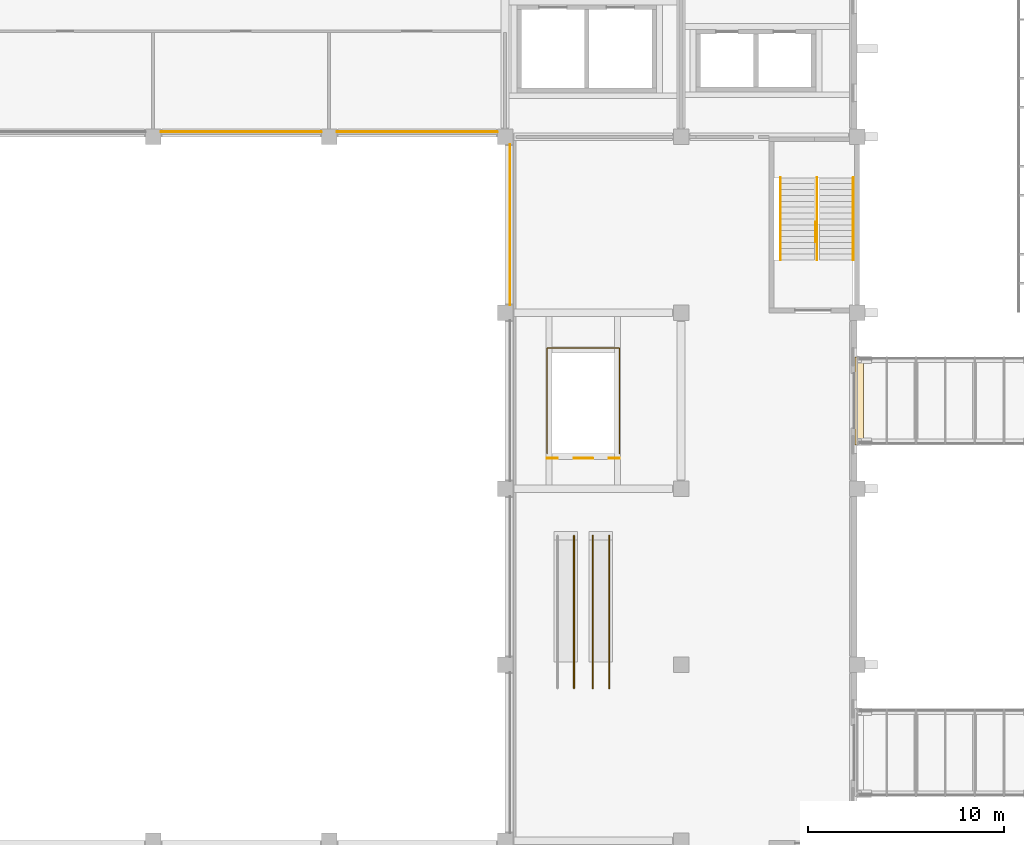
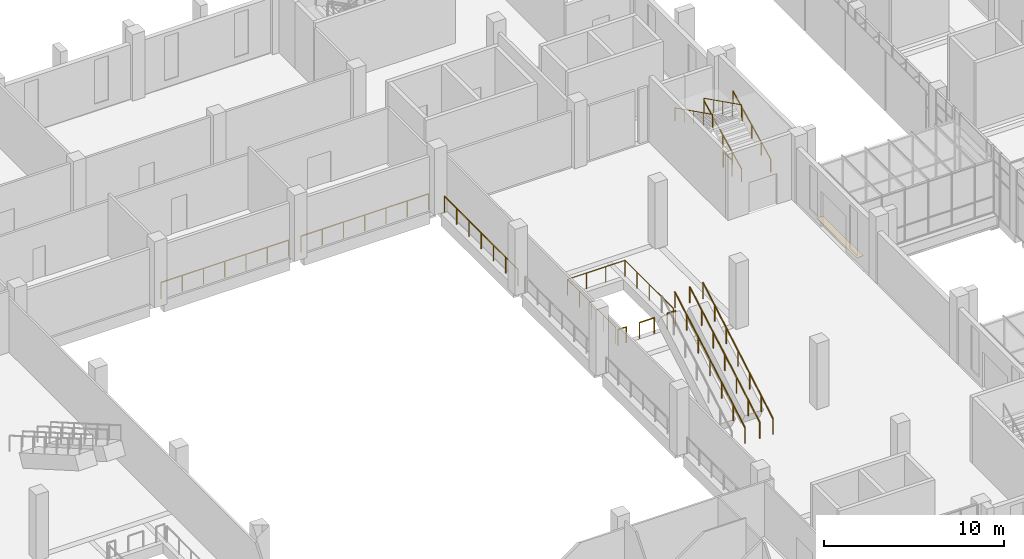
# One storey, part 99 of 106: 15 railings, 1 covering.
"""IFC4 building model written with IfcOpenShell, lengths in metres."""

from ifc_helpers import new_model, si_unit, direction, frame, origin, origin_2d, place, context, subcontext, project, spatial, rectangle, circle, extrude, material, layer, layer_set, type_object, element, save


model = new_model("IFC4")

# Units and contexts
model_context = context("Model", 3, precision=1e-05, world=origin(), true_north=direction((0.0, 1.0)))
body_context = subcontext(model_context, "Body", "Model", "MODEL_VIEW")
ifc_project = project(units=[si_unit("LENGTHUNIT", "METRE"), si_unit("AREAUNIT", "SQUARE_METRE"), si_unit("VOLUMEUNIT", "CUBIC_METRE"), si_unit("PLANEANGLEUNIT", "RADIAN"), si_unit("MASSUNIT", "GRAM", prefix="KILO")], contexts=[model_context])

# Site, building, storey
site_placement = place(None, origin())
site = spatial("IfcSite", under=ifc_project, at=site_placement, CompositionType="ELEMENT")
building_placement = place(site_placement, origin())
building = spatial("IfcBuilding", under=site, at=building_placement, Name="Guidao Yard Department Store", CompositionType="ELEMENT")
storey_placement = place(building_placement, frame((0.0, 0.0, 10.5)))
storey = spatial("IfcBuildingStorey", under=building, at=storey_placement, Name="L02", CompositionType="ELEMENT", Elevation=10.5)

# Covering
ifc_material_1 = material(Name="Stainless steel 316", Category="steel")
ifc_layer = layer(ifc_material_1, 0.010009765625)
ifc_layer_set = layer_set([ifc_layer], Name="Bridge joint cover JC1 stainless steel 10 x 425")
covering_type = type_object("IfcCoveringType", Name="Bridge joint cover JC1 stainless steel 10 x 425", PredefinedType="FLOORING", material=ifc_layer_set)
covering_placement = place(storey_placement, frame((63.112548828125, 76.5, 0.0), z_axis=(0.0, 0.0, 1.0), x_axis=(1.0, 0.0, 0.0)))
element("IfcCovering", 1, at=covering_placement, inside=storey, type_object=covering_type, Name="Bridge joint cover plate BR04", PredefinedType="FLOORING", context=body_context, shape_type="SweptSolid", body=[
    extrude(rectangle(XDim=0.425048828125, YDim=4.5, at=origin_2d()), origin(), (0.0, 0.0, 1.0), 0.010009765625),
])

# Railings
ifc_material_2 = material(Name="Laminated glass", Category="glass")
railing_type_1 = type_object("IfcRailingType", Name="Escalator balustrade glass 1100", PredefinedType="BALUSTRADE", material=ifc_material_2)
for number, where, name in (
    (2, (48.52001953125, 61.800048828125, 0.0), "Escalator EH5 up balustrade"),
    (3, (49.47998046875, 61.800048828125, 0.0), "Escalator EH5 down balustrade"),
    (4, (50.320068359375, 61.800048828125, 0.0), "Escalator EH5 down balustrade"),
):
    element("IfcRailing", number, at=place(storey_placement, frame(where)), inside=storey, type_object=railing_type_1, Name=name, PredefinedType="BALUSTRADE", context=body_context, shape_type="SweptSolid", body=[
        extrude(circle(Radius=0.030029296875, at=origin_2d()), frame((0.0, 0.0, 1.070068359375), z_axis=(0.0, 0.866017533419, 0.500013631625), x_axis=(-1.0, 0.0, 0.0)), (0.0, 0.0, 1.0), 8.999755859375),
        extrude(circle(Radius=0.02490234375, at=origin_2d()), origin(), (0.0, 0.0, 1.0), 1.0400390625),
        extrude(circle(Radius=0.02490234375, at=origin_2d()), frame((0.0, 1.299072265625, 0.75)), (0.0, 0.0, 1.0), 1.0400390625),
        extrude(circle(Radius=0.02490234375, at=origin_2d()), frame((0.0, 2.597900390625, 1.5)), (0.0, 0.0, 1.0), 1.0400390625),
        extrude(circle(Radius=0.02490234375, at=origin_2d()), frame((0.0, 3.89697265625, 2.25)), (0.0, 0.0, 1.0), 1.0400390625),
        extrude(circle(Radius=0.02490234375, at=origin_2d()), frame((0.0, 5.196044921875, 3.0)), (0.0, 0.0, 1.0), 1.0400390625),
        extrude(circle(Radius=0.02490234375, at=origin_2d()), frame((0.0, 6.494873046875, 3.75)), (0.0, 0.0, 1.0), 1.0400390625),
        extrude(circle(Radius=0.02490234375, at=origin_2d()), frame((0.0, 7.7939453125, 4.5)), (0.0, 0.0, 1.0), 1.0400390625),
    ])
ifc_material_3 = material(Name="Steel Q235", Category="steel")
railing_type_2 = type_object("IfcRailingType", Name="Guard steel balustrade 1100", PredefinedType="GUARDRAIL", material=ifc_material_3)
railing_1_placement = place(storey_placement, frame((60.875, 84.6298828125, 0.0)))
element("IfcRailing", 5, at=railing_1_placement, inside=storey, type_object=railing_type_2, Name="Stair A4 guard L02 4", PredefinedType="GUARDRAIL", context=body_context, shape_type="SweptSolid", body=[
    extrude(circle(Radius=0.02392578125, at=origin_2d()), frame((0.0, 0.0, 1.076171875), z_axis=(0.0, 1.0, 0.0), x_axis=(-1.0, 0.0, 0.0)), (0.0, 0.0, 1.0), 1.0),
    extrude(circle(Radius=0.02099609375, at=origin_2d()), origin(), (0.0, 0.0, 1.0), 1.052001953125),
    extrude(circle(Radius=0.02099609375, at=origin_2d()), frame((0.0, 1.0, 0.0)), (0.0, 0.0, 1.0), 1.052001953125),
])
railing_2_placement = place(storey_placement, frame((47.14990234375, 73.555908203125, 0.0)))
element("IfcRailing", 6, at=railing_2_placement, inside=storey, type_object=railing_type_2, Name="Guard escalator EH4 arrival 1", PredefinedType="GUARDRAIL", context=body_context, shape_type="SweptSolid", body=[
    extrude(circle(Radius=0.02392578125, at=origin_2d()), frame((0.0, 0.0, 1.076171875), z_axis=(1.0, 0.0, 0.0), x_axis=(0.0, 1.0, 0.0)), (0.0, 0.0, 1.0), 0.530029296875),
    extrude(circle(Radius=0.02099609375, at=origin_2d()), origin(), (0.0, 0.0, 1.0), 1.052001953125),
    extrude(circle(Radius=0.02099609375, at=origin_2d()), frame((0.530029296875, 0.0, 0.0)), (0.0, 0.0, 1.0), 1.052001953125),
])
railing_3_placement = place(storey_placement, frame((48.52001953125, 73.555908203125, 0.0)))
element("IfcRailing", 7, at=railing_3_placement, inside=storey, type_object=railing_type_2, Name="Guard escalator EH4 arrival 2", PredefinedType="GUARDRAIL", context=body_context, shape_type="SweptSolid", body=[
    extrude(circle(Radius=0.02392578125, at=origin_2d()), frame((0.0, 0.0, 1.076171875), z_axis=(1.0, 0.0, 0.0), x_axis=(0.0, 1.0, 0.0)), (0.0, 0.0, 1.0), 0.9599609375),
    extrude(circle(Radius=0.02099609375, at=origin_2d()), origin(), (0.0, 0.0, 1.0), 1.052001953125),
    extrude(circle(Radius=0.02099609375, at=origin_2d()), frame((0.9599609375, 0.0, 0.0)), (0.0, 0.0, 1.0), 1.052001953125),
])
railing_4_placement = place(storey_placement, frame((50.320068359375, 73.555908203125, 0.0)))
element("IfcRailing", 8, at=railing_4_placement, inside=storey, type_object=railing_type_2, Name="Guard escalator EH4 arrival 3", PredefinedType="GUARDRAIL", context=body_context, shape_type="SweptSolid", body=[
    extrude(circle(Radius=0.02392578125, at=origin_2d()), frame((0.0, 0.0, 1.076171875), z_axis=(1.0, 0.0, 0.0), x_axis=(0.0, 1.0, 0.0)), (0.0, 0.0, 1.0), 0.530029296875),
    extrude(circle(Radius=0.02099609375, at=origin_2d()), origin(), (0.0, 0.0, 1.0), 1.052001953125),
    extrude(circle(Radius=0.02099609375, at=origin_2d()), frame((0.530029296875, 0.0, 0.0)), (0.0, 0.0, 1.0), 1.052001953125),
])
railing_5_placement = place(storey_placement, frame((45.25, 81.39990234375, 0.0)))
element("IfcRailing", 9, at=railing_5_placement, inside=storey, type_object=railing_type_2, Name="Guard atrium E L02", PredefinedType="GUARDRAIL", context=body_context, shape_type="SweptSolid", body=[
    extrude(circle(Radius=0.02392578125, at=origin_2d()), frame((0.0, 0.0, 1.076171875), z_axis=(0.0, 1.0, 0.0), x_axis=(-1.0, 0.0, 0.0)), (0.0, 0.0, 1.0), 8.2001953125),
    extrude(circle(Radius=0.02099609375, at=origin_2d()), origin(), (0.0, 0.0, 1.0), 1.052001953125),
    extrude(circle(Radius=0.02099609375, at=origin_2d()), frame((0.0, 1.36669921875, 0.0)), (0.0, 0.0, 1.0), 1.052001953125),
    extrude(circle(Radius=0.02099609375, at=origin_2d()), frame((0.0, 2.7333984375, 0.0)), (0.0, 0.0, 1.0), 1.052001953125),
    extrude(circle(Radius=0.02099609375, at=origin_2d()), frame((0.0, 4.10009765625, 0.0)), (0.0, 0.0, 1.0), 1.052001953125),
    extrude(circle(Radius=0.02099609375, at=origin_2d()), frame((0.0, 5.466796875, 0.0)), (0.0, 0.0, 1.0), 1.052001953125),
    extrude(circle(Radius=0.02099609375, at=origin_2d()), frame((0.0, 6.83349609375, 0.0)), (0.0, 0.0, 1.0), 1.052001953125),
    extrude(circle(Radius=0.02099609375, at=origin_2d()), frame((0.0, 8.2001953125, 0.0)), (0.0, 0.0, 1.0), 1.052001953125),
])
for number, where, name in (
    (10, (44.60009765625, 90.25, 0.0), "Guard atrium N L02"),
    (11, (35.60009765625, 90.25, 0.0), "Guard atrium N L02"),
):
    element("IfcRailing", number, at=place(storey_placement, frame(where)), inside=storey, type_object=railing_type_2, Name=name, PredefinedType="GUARDRAIL", context=body_context, shape_type="SweptSolid", body=[
        extrude(circle(Radius=0.02392578125, at=origin_2d()), frame((0.0, 0.0, 1.076171875), z_axis=(-1.0, 0.0, 0.0), x_axis=(0.0, -1.0, 0.0)), (0.0, 0.0, 1.0), 8.2001953125),
        extrude(circle(Radius=0.02099609375, at=origin_2d()), origin(), (0.0, 0.0, 1.0), 1.052001953125),
        extrude(circle(Radius=0.02099609375, at=origin_2d()), frame((-1.36669921875, 0.0, 0.0)), (0.0, 0.0, 1.0), 1.052001953125),
        extrude(circle(Radius=0.02099609375, at=origin_2d()), frame((-2.7333984375, 0.0, 0.0)), (0.0, 0.0, 1.0), 1.052001953125),
        extrude(circle(Radius=0.02099609375, at=origin_2d()), frame((-4.10009765625, 0.0, 0.0)), (0.0, 0.0, 1.0), 1.052001953125),
        extrude(circle(Radius=0.02099609375, at=origin_2d()), frame((-5.466796875, 0.0, 0.0)), (0.0, 0.0, 1.0), 1.052001953125),
        extrude(circle(Radius=0.02099609375, at=origin_2d()), frame((-6.83349609375, 0.0, 0.0)), (0.0, 0.0, 1.0), 1.052001953125),
        extrude(circle(Radius=0.02099609375, at=origin_2d()), frame((-8.2001953125, 0.0, 0.0)), (0.0, 0.0, 1.0), 1.052001953125),
    ])
railing_6_placement = place(storey_placement, frame((50.85009765625, 73.805908203125, 0.0)))
element("IfcRailing", 12, at=railing_6_placement, inside=storey, type_object=railing_type_2, Name="Guard well EH4 L02", PredefinedType="GUARDRAIL", context=body_context, shape_type="SweptSolid", body=[
    extrude(circle(Radius=0.02392578125, at=origin_2d()), frame((0.0, 0.0, 1.076171875), z_axis=(0.0, 1.0, 0.0), x_axis=(-1.0, 0.0, 0.0)), (0.0, 0.0, 1.0), 5.38818359375),
    extrude(circle(Radius=0.02392578125, at=origin_2d()), frame((0.0, 5.38818359375, 1.076171875), z_axis=(-1.0, 0.0, 0.0), x_axis=(0.0, -1.0, 0.0)), (0.0, 0.0, 1.0), 3.7001953125),
    extrude(circle(Radius=0.02392578125, at=origin_2d()), frame((-3.7001953125, 5.38818359375, 1.076171875), z_axis=(0.0, -1.0, 0.0), x_axis=(1.0, 0.0, 0.0)), (0.0, 0.0, 1.0), 5.38818359375),
    extrude(circle(Radius=0.02099609375, at=origin_2d()), origin(), (0.0, 0.0, 1.0), 1.052001953125),
    extrude(circle(Radius=0.02099609375, at=origin_2d()), frame((0.0, 1.34716796875, 0.0)), (0.0, 0.0, 1.0), 1.052001953125),
    extrude(circle(Radius=0.02099609375, at=origin_2d()), frame((0.0, 2.694091796875, 0.0)), (0.0, 0.0, 1.0), 1.052001953125),
    extrude(circle(Radius=0.02099609375, at=origin_2d()), frame((0.0, 4.041015625, 0.0)), (0.0, 0.0, 1.0), 1.052001953125),
    extrude(circle(Radius=0.02099609375, at=origin_2d()), frame((0.0, 5.38818359375, 0.0)), (0.0, 0.0, 1.0), 1.052001953125),
    extrude(circle(Radius=0.02099609375, at=origin_2d()), frame((-1.2333984375, 5.38818359375, 0.0)), (0.0, 0.0, 1.0), 1.052001953125),
    extrude(circle(Radius=0.02099609375, at=origin_2d()), frame((-2.466796875, 5.38818359375, 0.0)), (0.0, 0.0, 1.0), 1.052001953125),
    extrude(circle(Radius=0.02099609375, at=origin_2d()), frame((-3.7001953125, 5.38818359375, 0.0)), (0.0, 0.0, 1.0), 1.052001953125),
    extrude(circle(Radius=0.02099609375, at=origin_2d()), frame((-3.7001953125, 4.041015625, 0.0)), (0.0, 0.0, 1.0), 1.052001953125),
    extrude(circle(Radius=0.02099609375, at=origin_2d()), frame((-3.7001953125, 2.694091796875, 0.0)), (0.0, 0.0, 1.0), 1.052001953125),
    extrude(circle(Radius=0.02099609375, at=origin_2d()), frame((-3.7001953125, 1.34716796875, 0.0)), (0.0, 0.0, 1.0), 1.052001953125),
    extrude(circle(Radius=0.02099609375, at=origin_2d()), frame((-3.7001953125, 0.0, 0.0)), (0.0, 0.0, 1.0), 1.052001953125),
])
ifc_material_4 = material(Name="Steel Q235", Category="steel")
railing_type_3 = type_object("IfcRailingType", Name="Handrail steel tube 48", PredefinedType="HANDRAIL", material=ifc_material_4)
for number, where, name in (
    (13, (62.81494140625, 83.699951171875, 0.14990234375), "Stair A4 hand rail L02 13"),
    (14, (60.949951171875, 83.699951171875, 0.14990234375), "Stair A4 hand rail L02 14"),
):
    element("IfcRailing", number, at=place(storey_placement, frame(where)), inside=storey, type_object=railing_type_3, Name=name, PredefinedType="HANDRAIL", context=body_context, shape_type="SweptSolid", body=[
        extrude(circle(Radius=0.02392578125, at=origin_2d()), frame((0.0, 0.0, 0.8759765625), z_axis=(0.0, 0.894416792377, 0.447234392142), x_axis=(-1.0, 0.0, 0.0)), (0.0, 0.0, 1.0), 4.69580078125),
        extrude(circle(Radius=0.02099609375, at=origin_2d()), origin(), (0.0, 0.0, 1.0), 0.851806640625),
        extrude(circle(Radius=0.02099609375, at=origin_2d()), frame((0.0, 1.050048828125, 0.52490234375)), (0.0, 0.0, 1.0), 0.851806640625),
        extrude(circle(Radius=0.02099609375, at=origin_2d()), frame((0.0, 2.10009765625, 1.050048828125)), (0.0, 0.0, 1.0), 0.851806640625),
        extrude(circle(Radius=0.02099609375, at=origin_2d()), frame((0.0, 3.14990234375, 1.5751953125)), (0.0, 0.0, 1.0), 0.851806640625),
        extrude(circle(Radius=0.02099609375, at=origin_2d()), frame((0.0, 4.199951171875, 2.10009765625)), (0.0, 0.0, 1.0), 0.851806640625),
    ])
for number, where, name in (
    (15, (59.0849609375, 87.89990234375, 2.39990234375), "Stair A4 hand rail L02 15"),
    (16, (60.949951171875, 87.89990234375, 2.39990234375), "Stair A4 hand rail L02 16"),
):
    element("IfcRailing", number, at=place(storey_placement, frame(where)), inside=storey, type_object=railing_type_3, Name=name, PredefinedType="HANDRAIL", context=body_context, shape_type="SweptSolid", body=[
        extrude(circle(Radius=0.02392578125, at=origin_2d()), frame((0.0, 0.0, 0.8759765625), z_axis=(0.0, -0.894416792377, 0.447234392142), x_axis=(1.0, 0.0, 0.0)), (0.0, 0.0, 1.0), 4.69580078125),
        extrude(circle(Radius=0.02099609375, at=origin_2d()), origin(), (0.0, 0.0, 1.0), 0.851806640625),
        extrude(circle(Radius=0.02099609375, at=origin_2d()), frame((0.0, -1.050048828125, 0.52490234375)), (0.0, 0.0, 1.0), 0.851806640625),
        extrude(circle(Radius=0.02099609375, at=origin_2d()), frame((0.0, -2.10009765625, 1.050048828125)), (0.0, 0.0, 1.0), 0.851806640625),
        extrude(circle(Radius=0.02099609375, at=origin_2d()), frame((0.0, -3.14990234375, 1.5751953125)), (0.0, 0.0, 1.0), 0.851806640625),
        extrude(circle(Radius=0.02099609375, at=origin_2d()), frame((0.0, -4.199951171875, 2.10009765625)), (0.0, 0.0, 1.0), 0.851806640625),
    ])

save(model, "model.ifc")
